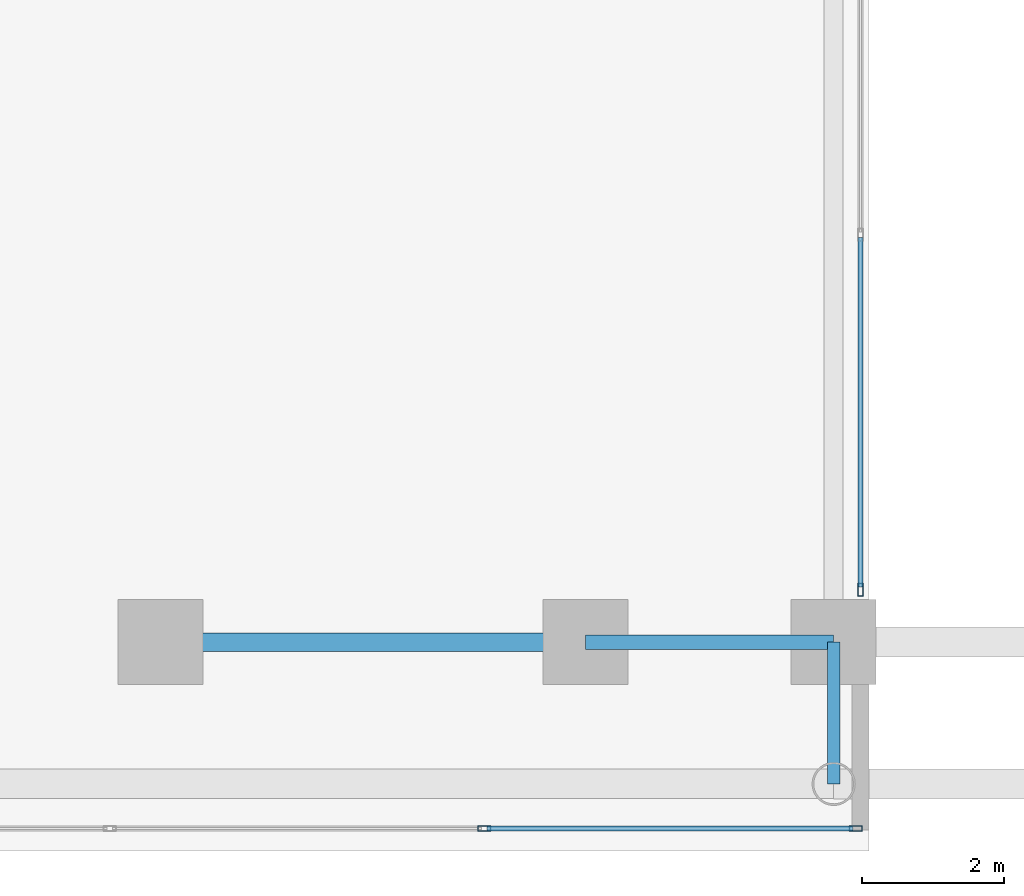
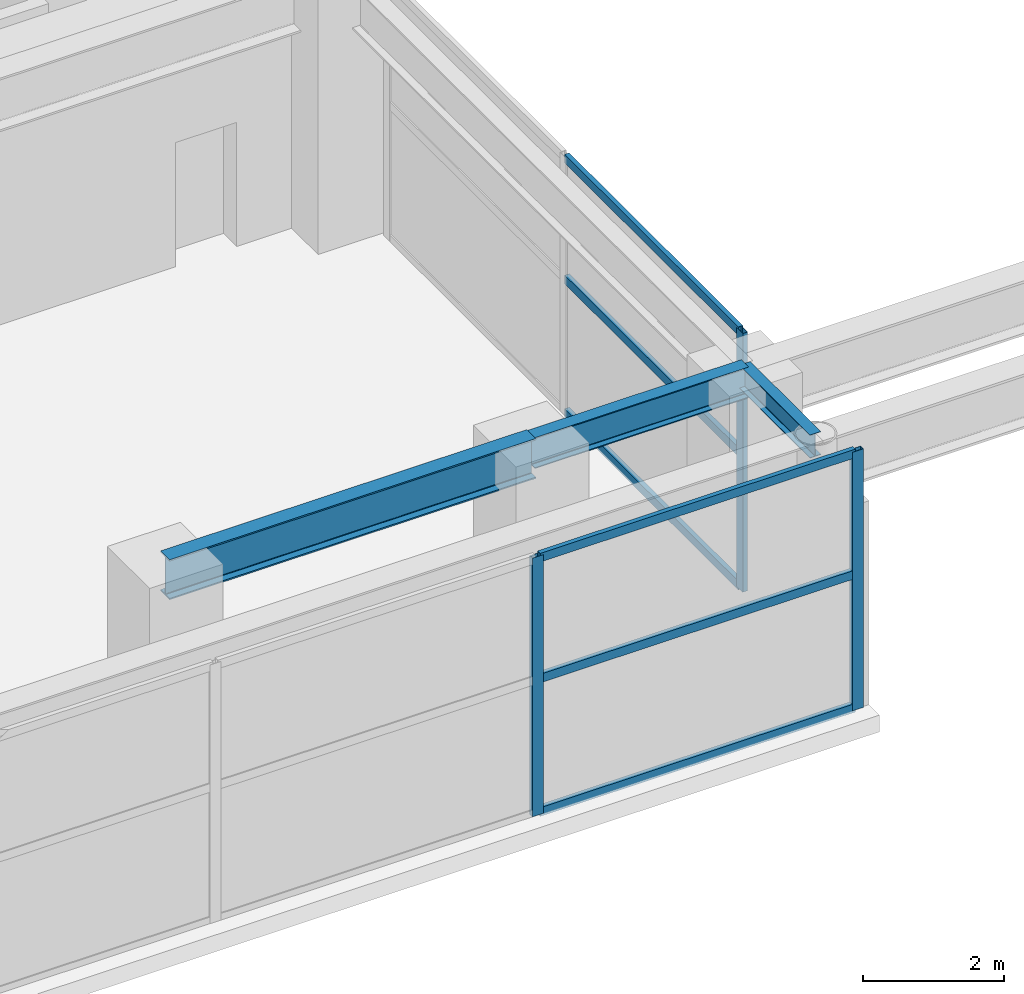
# One storey, part 5 of 30: 9 members, 3 beams, 2 elements without a shape of their own.
"""IFC4 building model written with IfcOpenShell, lengths in metres."""

from ifc_helpers import new_model, si_unit, direction, frame, origin, origin_2d, place, context, subcontext, project, spatial, hollow_rectangle, i_section, extrude, source, transform, mapped, material, layer, layer_set, material_profile, profile_set, type_object, element, aggregate, save


model = new_model("IFC4")

# Units and contexts
model_context = context("Model", 3, precision=1e-05, world=origin(), true_north=direction((0.0, 1.0)))
body_context = subcontext(model_context, "Body", "Model", "MODEL_VIEW")
ifc_project = project(units=[si_unit("LENGTHUNIT", "METRE"), si_unit("AREAUNIT", "SQUARE_METRE"), si_unit("VOLUMEUNIT", "CUBIC_METRE"), si_unit("PLANEANGLEUNIT", "RADIAN"), si_unit("MASSUNIT", "GRAM", prefix="KILO")], contexts=[model_context])

# Site, building, storey
site_placement = place(None, origin())
site = spatial("IfcSite", under=ifc_project, at=site_placement, CompositionType="ELEMENT")
building_placement = place(site_placement, origin())
building = spatial("IfcBuilding", under=site, at=building_placement, Name="Ocotamira Hotel", CompositionType="ELEMENT")
storey_placement = place(building_placement, frame((0.0, 0.0, 19.199951171875)))
storey = spatial("IfcBuildingStorey", under=building, at=storey_placement, Name="L04", CompositionType="ELEMENT", Elevation=19.199951171875)

# Beams
ifc_material_1 = material(Name="Steel ASTM A992 Grade 50", Category="steel")
ifc_material_profile_1 = material_profile(ifc_material_1, i_section(OverallWidth=0.256103515625, OverallDepth=0.693115234375, WebThickness=0.014404296875, FlangeThickness=0.023681640625, FilletRadius=0.01611328125, at=origin_2d()), Name="W27X114")
ifc_profile_set_1 = profile_set([ifc_material_profile_1], Name="Steel ASTM A992 Grade 50")
beam_type_1 = type_object("IfcBeamType", Name="BM-PRIM-W27X114", PredefinedType="BEAM", material=ifc_profile_set_1)
shared_shape_1 = source(origin(), body_context, "Body", "SweptSolid", [
    extrude(i_section(OverallWidth=0.256103515625, OverallDepth=0.693115234375, WebThickness=0.014404296875, FlangeThickness=0.023681640625, FilletRadius=0.01611328125, at=origin_2d()), origin(), (0.0, 0.0, 1.0), 6.0),
])
beam_1_placement = place(storey_placement, frame((14.0, 2.949951171875, 4.133544921875), z_axis=(1.0, 0.0, 0.0), x_axis=(0.0, 1.0, 0.0)))
element("IfcBeam", 1, at=beam_1_placement, inside=storey, type_object=beam_type_1, Name="L04 Girder Y2.95 X14-20", PredefinedType="BEAM", context=body_context, shape_type="MappedRepresentation", body=[
    mapped(shared_shape_1, transform((0.0, 0.0, 0.0), scale=1.0)),
])
ifc_material_profile_2 = material_profile(ifc_material_1, i_section(OverallWidth=0.2099609375, OverallDepth=0.537109375, WebThickness=0.010986328125, FlangeThickness=0.017333984375, FilletRadius=0.012939453125, at=origin_2d()), Name="W21X68")
ifc_profile_set_2 = profile_set([ifc_material_profile_2], Name="Steel ASTM A992 Grade 50")
beam_type_2 = type_object("IfcBeamType", Name="BM-SEC-W21X68", PredefinedType="JOIST", material=ifc_profile_set_2)
shared_shape_2 = source(origin(), body_context, "Body", "SweptSolid", [
    extrude(i_section(OverallWidth=0.2099609375, OverallDepth=0.537109375, WebThickness=0.010986328125, FlangeThickness=0.017333984375, FilletRadius=0.012939453125, at=origin_2d()), origin(), (0.0, 0.0, 1.0), 3.5),
])
beam_2_placement = place(storey_placement, frame((20.0, 2.949951171875, 4.211669921875), z_axis=(1.0, 0.0, 0.0), x_axis=(0.0, 1.0, 0.0)))
element("IfcBeam", 2, at=beam_2_placement, inside=storey, type_object=beam_type_2, Name="L04 Girder Y2.95 X20-23.5", PredefinedType="JOIST", context=body_context, shape_type="MappedRepresentation", body=[
    mapped(shared_shape_2, transform((0.0, 0.0, 0.0), scale=1.0)),
])
ifc_material_profile_3 = material_profile(ifc_material_1, i_section(OverallWidth=0.177978515625, OverallDepth=0.403076171875, WebThickness=0.007568359375, FlangeThickness=0.010986328125, FilletRadius=0.010009765625, at=origin_2d()), Name="W16X36")
ifc_profile_set_3 = profile_set([ifc_material_profile_3], Name="Steel ASTM A992 Grade 50")
beam_type_3 = type_object("IfcBeamType", Name="BM-SEC-W16X36", PredefinedType="JOIST", material=ifc_profile_set_3)
shared_shape_3 = source(origin(), body_context, "Body", "SweptSolid", [
    extrude(i_section(OverallWidth=0.177978515625, OverallDepth=0.403076171875, WebThickness=0.007568359375, FlangeThickness=0.010986328125, FilletRadius=0.010009765625, at=origin_2d()), origin(), (0.0, 0.0, 1.0), 2.0),
])
beam_3_placement = place(storey_placement, frame((23.5, 0.949951171875, 4.278564453125), z_axis=(0.0, 1.0, 0.0), x_axis=(-1.0, 0.0, 0.0)))
element("IfcBeam", 3, at=beam_3_placement, inside=storey, type_object=beam_type_3, Name="L04 Beam X23.5 Y0.95-2.95", PredefinedType="JOIST", context=body_context, shape_type="MappedRepresentation", body=[
    mapped(shared_shape_3, transform((0.0, 0.0, 0.0), scale=1.0)),
])

# Curtain wall, members
ifc_material_2 = material(Name="Anodised pale-metal aluminium and solar glass", Category="aluminium")
ifc_layer = layer(ifc_material_2, 0.219970703125)
ifc_layer_set = layer_set([ifc_layer], Name="Anodised pale-metal aluminium and solar glass")
curtain_wall_type = type_object("IfcCurtainWallType", Name="CW-SYS1-POD", PredefinedType="NOTDEFINED", material=ifc_layer_set)
curtain_wall_1_placement = place(storey_placement, origin())
curtain_wall_1 = element("IfcCurtainWall", 4, at=curtain_wall_1_placement, inside=storey, type_object=curtain_wall_type, Name="L04 Curtain Wall CW-1 CW-L04-SW", PredefinedType="NOTDEFINED")
ifc_material_3 = material(Name="Anodised pale-metal aluminium 6063-T6", Category="aluminium")
ifc_material_profile_4 = material_profile(ifc_material_3, hollow_rectangle(XDim=0.074951171875, YDim=0.14990234375, WallThickness=0.006103515625, at=origin_2d()), Name="HSS150X75X6")
ifc_profile_set_4 = profile_set([ifc_material_profile_4], Name="Anodised pale-metal aluminium 6063-T6")
member_type_1 = type_object("IfcMemberType", Name="CWT-150X75", PredefinedType="USERDEFINED", material=ifc_profile_set_4)
shared_shape_4 = source(origin(), body_context, "Body", "SweptSolid", [
    extrude(hollow_rectangle(XDim=0.074951171875, YDim=0.14990234375, WallThickness=0.006103515625, at=origin_2d()), origin(), (0.0, 0.0, 1.0), 5.163330078125),
])
member_1_placement = place(storey_placement, frame((18.606689453125, 0.320068359375, 0.03759765625), z_axis=(1.0, 0.0, 0.0), x_axis=(0.0, 1.0, 0.0)))
member_1 = element("IfcMember", 5, at=member_1_placement, type_object=member_type_1, Name="CW-1 transom 3.1", ObjectType="TRANSOM", PredefinedType="USERDEFINED", context=body_context, shape_type="MappedRepresentation", body=[
    mapped(shared_shape_4, transform((0.0, 0.0, 0.0), scale=1.0)),
])
member_2_placement = place(storey_placement, frame((18.606689453125, 0.320068359375, 2.35009765625), z_axis=(1.0, 0.0, 0.0), x_axis=(0.0, 1.0, 0.0)))
member_2 = element("IfcMember", 6, at=member_2_placement, type_object=member_type_1, Name="CW-1 transom 3.2", ObjectType="TRANSOM", PredefinedType="USERDEFINED", context=body_context, shape_type="MappedRepresentation", body=[
    mapped(shared_shape_4, transform((0.0, 0.0, 0.0), scale=1.0)),
])
member_3_placement = place(storey_placement, frame((18.606689453125, 0.320068359375, 4.442626953125), z_axis=(1.0, 0.0, 0.0), x_axis=(0.0, 1.0, 0.0)))
member_3 = element("IfcMember", 7, at=member_3_placement, type_object=member_type_1, Name="CW-1 transom 3.3", ObjectType="TRANSOM", PredefinedType="USERDEFINED", context=body_context, shape_type="MappedRepresentation", body=[
    mapped(shared_shape_4, transform((0.0, 0.0, 0.0), scale=1.0)),
])

curtain_wall_2_placement = place(storey_placement, origin())
curtain_wall_2 = element("IfcCurtainWall", 8, at=curtain_wall_2_placement, inside=storey, type_object=curtain_wall_type, Name="L04 Curtain Wall CW-1 CW-L04-AW-S", PredefinedType="NOTDEFINED")
shared_shape_5 = source(origin(), body_context, "Body", "SweptSolid", [
    extrude(hollow_rectangle(XDim=0.074951171875, YDim=0.14990234375, WallThickness=0.006103515625, at=origin_2d()), origin(), (0.0, 0.0, 1.0), 4.929931640625),
])
member_4_placement = place(storey_placement, frame((23.8798828125, 3.72998046875, 0.03759765625), z_axis=(0.0, 1.0, 0.0), x_axis=(-1.0, 0.0, 0.0)))
member_4 = element("IfcMember", 9, at=member_4_placement, type_object=member_type_1, Name="CW-1 transom 1.1", ObjectType="TRANSOM", PredefinedType="USERDEFINED", context=body_context, shape_type="MappedRepresentation", body=[
    mapped(shared_shape_5, transform((0.0, 0.0, 0.0), scale=1.0)),
])
member_5_placement = place(storey_placement, frame((23.8798828125, 3.72998046875, 2.35009765625), z_axis=(0.0, 1.0, 0.0), x_axis=(-1.0, 0.0, 0.0)))
member_5 = element("IfcMember", 10, at=member_5_placement, type_object=member_type_1, Name="CW-1 transom 1.2", ObjectType="TRANSOM", PredefinedType="USERDEFINED", context=body_context, shape_type="MappedRepresentation", body=[
    mapped(shared_shape_5, transform((0.0, 0.0, 0.0), scale=1.0)),
])
member_6_placement = place(storey_placement, frame((23.8798828125, 3.72998046875, 4.442626953125), z_axis=(0.0, 1.0, 0.0), x_axis=(-1.0, 0.0, 0.0)))
member_6 = element("IfcMember", 11, at=member_6_placement, type_object=member_type_1, Name="CW-1 transom 1.3", ObjectType="TRANSOM", PredefinedType="USERDEFINED", context=body_context, shape_type="MappedRepresentation", body=[
    mapped(shared_shape_5, transform((0.0, 0.0, 0.0), scale=1.0)),
])

# Member
ifc_material_profile_5 = material_profile(ifc_material_3, hollow_rectangle(XDim=0.080078125, YDim=0.179931640625, WallThickness=0.006103515625, at=origin_2d()), Name="HSS180X80X6")
ifc_profile_set_5 = profile_set([ifc_material_profile_5], Name="Anodised pale-metal aluminium 6063-T6")
member_type_2 = type_object("IfcMemberType", Name="CWM-180X75", PredefinedType="MULLION", material=ifc_profile_set_5)
shared_shape_6 = source(origin(), body_context, "Body", "SweptSolid", [
    extrude(hollow_rectangle(XDim=0.080078125, YDim=0.179931640625, WallThickness=0.006103515625, at=origin_2d()), origin(), (0.0, 0.0, 1.0), 4.47998046875),
])
member_7_placement = place(storey_placement, frame((18.566650390625, 0.320068359375, 0.0), z_axis=(0.0, 0.0, 1.0), x_axis=(0.0, 1.0, 0.0)))
member_7 = element("IfcMember", 12, at=member_7_placement, type_object=member_type_2, Name="CW-1 mullion 3", PredefinedType="MULLION", context=body_context, shape_type="MappedRepresentation", body=[
    mapped(shared_shape_6, transform((0.0, 0.0, 0.0), scale=1.0)),
])

member_8_placement = place(storey_placement, frame((23.81005859375, 0.320068359375, 0.0), z_axis=(0.0, 0.0, 1.0), x_axis=(0.0, 1.0, 0.0)))
member_8 = element("IfcMember", 13, at=member_8_placement, type_object=member_type_2, Name="CW-1 mullion 4", PredefinedType="MULLION", context=body_context, shape_type="MappedRepresentation", body=[
    mapped(shared_shape_6, transform((0.0, 0.0, 0.0), scale=1.0)),
])

aggregate(curtain_wall_1, [member_7, member_8, member_1, member_2, member_3])

member_9_placement = place(storey_placement, frame((23.8798828125, 3.68994140625, 0.0), z_axis=(0.0, 0.0, 1.0), x_axis=(-1.0, 0.0, 0.0)))
member_9 = element("IfcMember", 14, at=member_9_placement, type_object=member_type_2, Name="CW-1 mullion 1", PredefinedType="MULLION", context=body_context, shape_type="MappedRepresentation", body=[
    mapped(shared_shape_6, transform((0.0, 0.0, 0.0), scale=1.0)),
])

aggregate(curtain_wall_2, [member_9, member_4, member_5, member_6])

save(model, "model.ifc")
